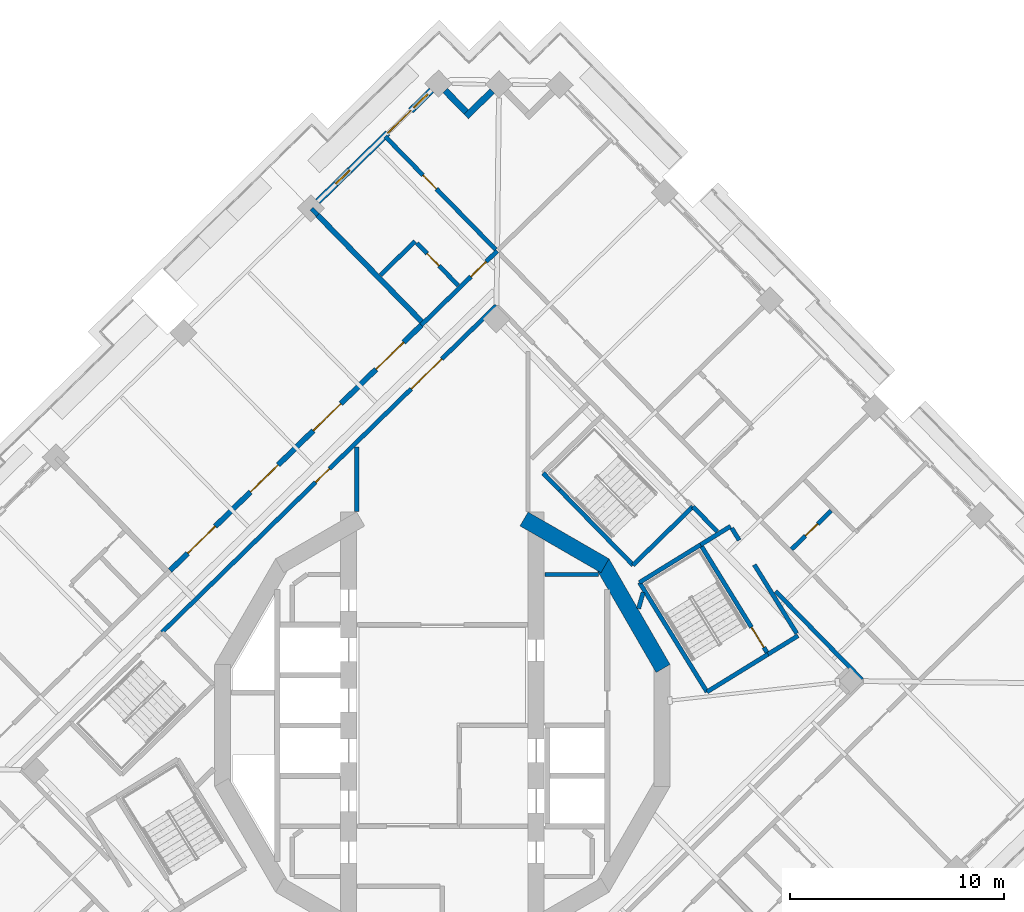
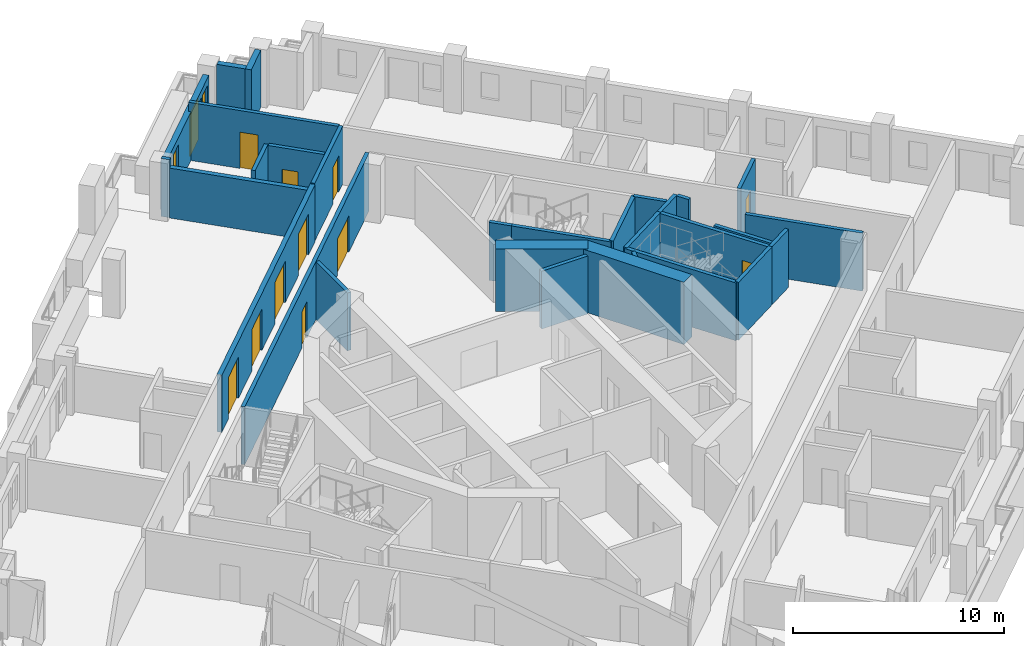
# One storey, part 9 of 19: 30 walls, 12 doors, 2 windows, 14 openings.
"""IFC4 building model written with IfcOpenShell, lengths in metres."""

from ifc_helpers import new_model, si_unit, direction, frame, frame_2d, origin, place, context, subcontext, project, spatial, rectangle, extrude, material, layer, layer_set, type_object, element, fill, save


model = new_model("IFC4")

# Units and contexts
model_context = context("Model", 3, precision=1e-05, world=origin(), true_north=direction((0.0, 1.0)))
body_context = subcontext(model_context, "Body", "Model", "MODEL_VIEW")
ifc_project = project(units=[si_unit("LENGTHUNIT", "METRE"), si_unit("AREAUNIT", "SQUARE_METRE"), si_unit("VOLUMEUNIT", "CUBIC_METRE"), si_unit("PLANEANGLEUNIT", "RADIAN"), si_unit("MASSUNIT", "GRAM", prefix="KILO")], contexts=[model_context])

# Site, building, storey
site_placement = place(None, origin())
site = spatial("IfcSite", under=ifc_project, at=site_placement, CompositionType="ELEMENT")
building_placement = place(site_placement, origin())
building = spatial("IfcBuilding", under=site, at=building_placement, Name="Cantera Rosa Tower", CompositionType="ELEMENT")
storey_placement = place(building_placement, frame((0.0, 0.0, 216.199951171875)))
storey = spatial("IfcBuildingStorey", under=building, at=storey_placement, Name="L46", CompositionType="ELEMENT", Elevation=216.199951171875)

# Walls
ifc_material_1 = material(Name="Gypsum board partition")
ifc_layer_1 = layer(ifc_material_1, 0.199951171875)
ifc_layer_set_1 = layer_set([ifc_layer_1], Name="CORRIDOR WALL 200 H2300")
wall_type_1 = type_object("IfcWallType", Name="CORRIDOR WALL 200 H2300", PredefinedType="PARTITIONING", material=ifc_layer_set_1)
wall_1_placement = place(storey_placement, frame((16.53759765625, 4.291748046875, 0.0), z_axis=(0.0, 0.0, 1.0), x_axis=(-0.524978610061, 0.85111542048, 0.0)))
element("IfcWall", 1, at=wall_1_placement, inside=storey, type_object=wall_type_1, Name="CORRIDOR WALL L46-114", PredefinedType="PARTITIONING", context=body_context, shape_type="SweptSolid", body=[
    extrude(rectangle(XDim=3.7705078125, YDim=0.199951171875, at=frame_2d((1.88525390625, 0.0))), origin(), (0.0, 0.0, 1.0), 2.300048828125),
])
ifc_material_2 = material(Name="Gypsum board partition")
ifc_layer_2 = layer(ifc_material_2, 0.199951171875)
ifc_layer_set_2 = layer_set([ifc_layer_2], Name="CORRIDOR WALL 200 H3350")
wall_type_2 = type_object("IfcWallType", Name="CORRIDOR WALL 200 H3350", PredefinedType="PARTITIONING", material=ifc_layer_set_2)
wall_2_placement = place(storey_placement, frame((-4.0, 12.998046875, 0.0), z_axis=(0.0, 0.0, 1.0), x_axis=(0.0, -1.0, 0.0)))
element("IfcWall", 2, at=wall_2_placement, inside=storey, type_object=wall_type_2, Name="CORRIDOR WALL L46-054", PredefinedType="PARTITIONING", context=body_context, shape_type="SweptSolid", body=[
    extrude(rectangle(XDim=3.00390625, YDim=0.199951171875, at=frame_2d((1.501953125, 0.0))), origin(), (0.0, 0.0, 1.0), 3.35009765625),
])

# Wall, openings, doors
wall_3_placement = place(storey_placement, frame((2.5263671875, 19.593994140625, 0.0), z_axis=(0.0, 0.0, 1.0), x_axis=(-0.715295644999, -0.698821966059, 0.0)))
wall_3 = element("IfcWall", 3, at=wall_3_placement, inside=storey, type_object=wall_type_2, Name="CORRIDOR WALL L46-069", PredefinedType="PARTITIONING", context=body_context, shape_type="SweptSolid", body=[
    extrude(rectangle(XDim=21.815185546875, YDim=0.199951171875, at=frame_2d((10.90771484375, 0.0))), origin(), (0.0, 0.0, 1.0), 3.35009765625),
])
opening_1_placement = place(wall_3_placement, frame((10.89501953125, 0.0, 0.0)))
opening_1 = element("IfcOpeningElement", 4, at=opening_1_placement, cuts=wall_3, Name="Opening L46-008", PredefinedType="OPENING", context=body_context, shape_type="SweptSolid", body=[
    extrude(rectangle(XDim=0.89990234375, YDim=2.10009765625, at=frame_2d((0.449951171875, 1.050048828125))), frame((0.0, 0.10986328125, 0.0), z_axis=(0.0, -1.0, 0.0), x_axis=(1.0, 0.0, 0.0)), (0.0, 0.0, 1.0), 0.219970703125),
])
opening_2_placement = place(wall_3_placement, frame((3.56201171875, 0.0, 0.0)))
opening_2 = element("IfcOpeningElement", 5, at=opening_2_placement, cuts=wall_3, Name="Opening L46-012", PredefinedType="OPENING", context=body_context, shape_type="SweptSolid", body=[
    extrude(rectangle(XDim=2.0, YDim=2.10009765625, at=frame_2d((1.0, 1.050048828125))), frame((0.0, 0.10986328125, 0.0), z_axis=(0.0, -1.0, 0.0), x_axis=(1.0, 0.0, 0.0)), (0.0, 0.0, 1.0), 0.219970703125),
])
ifc_material_3 = material(Name="Steel S355J2 (EN 10025-2)", Category="steel")
door_type_1 = type_object("IfcDoorType", Name="LOBBY SCREEN DOOR 2000x2100", OperationType="NOTDEFINED", PredefinedType="DOOR", material=ifc_material_3)
door_1_placement = place(opening_2_placement, origin())
door_1 = element("IfcDoor", 6, at=door_1_placement, inside=storey, type_object=door_type_1, Name="DOOR L46-012", OperationType="NOTDEFINED", OverallHeight=2.10009765625, OverallWidth=2.0, PredefinedType="DOOR", context=body_context, shape_type="SweptSolid", body=[
    extrude(rectangle(XDim=2.0, YDim=2.10009765625, at=frame_2d((1.0, 1.050048828125))), frame((0.0, 0.02490234375, 0.0), z_axis=(0.0, -1.0, 0.0), x_axis=(1.0, 0.0, 0.0)), (0.0, 0.0, 1.0), 0.050048828125),
])
fill(opening_2, door_1)
ifc_material_4 = material(Name="Timber door leaf", Category="wood")
door_type_2 = type_object("IfcDoorType", Name="SERVICE DOOR 900x2100", OperationType="NOTDEFINED", PredefinedType="DOOR", material=ifc_material_4)
door_2_placement = place(opening_1_placement, origin())
door_2 = element("IfcDoor", 7, at=door_2_placement, inside=storey, type_object=door_type_2, Name="DOOR L46-008", OperationType="NOTDEFINED", OverallHeight=2.10009765625, OverallWidth=0.89990234375, PredefinedType="DOOR", context=body_context, shape_type="SweptSolid", body=[
    extrude(rectangle(XDim=0.89990234375, YDim=2.10009765625, at=frame_2d((0.449951171875, 1.050048828125))), frame((0.0, 0.02490234375, 0.0), z_axis=(0.0, -1.0, 0.0), x_axis=(1.0, 0.0, 0.0)), (0.0, 0.0, 1.0), 0.050048828125),
])
fill(opening_1, door_2)

# Wall, opening, door
wall_4_placement = place(storey_placement, frame((2.555908203125, 22.1396484375, 0.0), z_axis=(0.0, 0.0, 1.0), x_axis=(-0.715279180478, -0.698838818309, 0.0)))
wall_4 = element("IfcWall", 8, at=wall_4_placement, inside=storey, type_object=wall_type_2, Name="CORRIDOR WALL L46-070", PredefinedType="PARTITIONING", context=body_context, shape_type="SweptSolid", body=[
    extrude(rectangle(XDim=4.945068359375, YDim=0.199951171875, at=frame_2d((2.47265625, 0.0))), origin(), (0.0, 0.0, 1.0), 3.35009765625),
])
opening_3_placement = place(wall_4_placement, frame((0.7099609375, 0.0, 0.0)))
opening_3 = element("IfcOpeningElement", 9, at=opening_3_placement, cuts=wall_4, Name="Opening L46-033", PredefinedType="OPENING", context=body_context, shape_type="SweptSolid", body=[
    extrude(rectangle(XDim=1.0, YDim=2.10009765625, at=frame_2d((0.5, 1.050048828125))), frame((0.0, 0.10986328125, 0.0), z_axis=(0.0, -1.0, 0.0), x_axis=(1.0, 0.0, 0.0)), (0.0, 0.0, 1.0), 0.219970703125),
])
ifc_material_5 = material(Name="Timber door leaf", Category="wood")
door_type_3 = type_object("IfcDoorType", Name="ENTRANCE DOOR 1000x2100", OperationType="NOTDEFINED", PredefinedType="DOOR", material=ifc_material_5)
door_3_placement = place(opening_3_placement, origin())
door_3 = element("IfcDoor", 10, at=door_3_placement, inside=storey, type_object=door_type_3, Name="DOOR L46-033", OperationType="NOTDEFINED", OverallHeight=2.10009765625, OverallWidth=1.0, PredefinedType="DOOR", context=body_context, shape_type="SweptSolid", body=[
    extrude(rectangle(XDim=1.0, YDim=2.10009765625, at=frame_2d((0.5, 1.050048828125))), frame((0.0, 0.02490234375, 0.0), z_axis=(0.0, -1.0, 0.0), x_axis=(1.0, 0.0, 0.0)), (0.0, 0.0, 1.0), 0.050048828125),
])
fill(opening_3, door_3)

# Walls
wall_5_placement = place(storey_placement, frame((12.05078125, 8.4326171875, 0.0), z_axis=(0.0, 0.0, 1.0), x_axis=(0.851076929832, 0.525041007453, 0.0)))
element("IfcWall", 11, at=wall_5_placement, inside=storey, type_object=wall_type_2, Name="CORRIDOR WALL L46-101", PredefinedType="PARTITIONING", context=body_context, shape_type="SweptSolid", body=[
    extrude(rectangle(XDim=1.645263671875, YDim=0.199951171875, at=frame_2d((0.82275390625, 0.0))), origin(), (0.0, 0.0, 1.0), 3.35009765625),
])
wall_6_placement = place(storey_placement, frame((12.828125, 9.0498046875, 0.0), z_axis=(0.0, 0.0, 1.0), x_axis=(-0.698800279723, 0.715316831242, 0.0)))
element("IfcWall", 12, at=wall_6_placement, inside=storey, type_object=wall_type_2, Name="CORRIDOR WALL L46-107", PredefinedType="PARTITIONING", context=body_context, shape_type="SweptSolid", body=[
    extrude(rectangle(XDim=1.6259765625, YDim=0.199951171875, at=frame_2d((0.81298828125, 0.0))), origin(), (0.0, 0.0, 1.0), 3.35009765625),
])
wall_7_placement = place(storey_placement, frame((15.20068359375, 3.325927734375, 0.0), z_axis=(0.0, 0.0, 1.0), x_axis=(0.8510360128, 0.525107327047, 0.0)))
element("IfcWall", 13, at=wall_7_placement, inside=storey, type_object=wall_type_2, Name="CORRIDOR WALL L46-112", PredefinedType="PARTITIONING", context=body_context, shape_type="SweptSolid", body=[
    extrude(rectangle(XDim=1.64501953125, YDim=0.199951171875, at=frame_2d((0.822509765625, 0.0))), origin(), (0.0, 0.0, 1.0), 3.35009765625),
])
wall_8_placement = place(storey_placement, frame((13.8525390625, 8.64501953125, 0.0), z_axis=(0.0, 0.0, 1.0), x_axis=(-0.52487540685, 0.851179068871, 0.0)))
element("IfcWall", 14, at=wall_8_placement, inside=storey, type_object=wall_type_2, Name="CORRIDOR WALL L46-115", PredefinedType="PARTITIONING", context=body_context, shape_type="SweptSolid", body=[
    extrude(rectangle(XDim=0.6650390625, YDim=0.199951171875, at=frame_2d((0.33251953125, 0.0))), origin(), (0.0, 0.0, 1.0), 3.35009765625),
])
wall_9_placement = place(storey_placement, frame((19.57763671875, 2.14111328125, 0.0), z_axis=(0.0, 0.0, 1.0), x_axis=(-0.698830151438, 0.715287648042, 0.0)))
element("IfcWall", 15, at=wall_9_placement, inside=storey, type_object=wall_type_2, Name="CORRIDOR WALL L46-122", PredefinedType="PARTITIONING", context=body_context, shape_type="SweptSolid", body=[
    extrude(rectangle(XDim=5.770751953125, YDim=0.199951171875, at=frame_2d((2.88525390625, 0.0))), origin(), (0.0, 0.0, 1.0), 3.35009765625),
])
ifc_material_6 = material(Name="Hollow clay masonry with cantera stone cladding", Category="masonry")
ifc_layer_3 = layer(ifc_material_6, 0.300048828125)
ifc_layer_set_3 = layer_set([ifc_layer_3], Name="EW-LOGGIA 300")
wall_type_3 = type_object("IfcWallType", Name="EW-LOGGIA 300", PredefinedType="SOLIDWALL", material=ifc_layer_set_3)
wall_10_placement = place(storey_placement, frame((2.324462890625, 29.602783203125, 0.0), z_axis=(0.0, 0.0, 1.0), x_axis=(-0.715316077832, -0.69880105094, 0.0)))
element("IfcWall", 16, at=wall_10_placement, inside=storey, type_object=wall_type_3, Name="EN-L46-W06a", PredefinedType="SOLIDWALL", context=body_context, shape_type="SweptSolid", body=[
    extrude(rectangle(XDim=1.699951171875, YDim=0.300048828125, at=frame_2d((0.85009765625, 0.0))), origin(), (0.0, 0.0, 1.0), 3.300048828125),
])
wall_11_placement = place(storey_placement, frame((1.111083984375, 28.626953125, 0.0), z_axis=(0.0, 0.0, 1.0), x_axis=(-0.698951192766, 0.71516937164, 0.0)))
element("IfcWall", 17, at=wall_11_placement, inside=storey, type_object=wall_type_3, Name="EN-L46-W06b", PredefinedType="SOLIDWALL", context=body_context, shape_type="SweptSolid", body=[
    extrude(rectangle(XDim=1.39990234375, YDim=0.300048828125, at=frame_2d((0.699951171875, 0.0))), origin(), (0.0, 0.0, 1.0), 3.300048828125),
])

# Wall, openings, windows, door
ifc_material_7 = material(Name="Hollow clay masonry with cantera stone cladding", Category="masonry")
ifc_layer_4 = layer(ifc_material_7, 0.300048828125)
ifc_layer_set_4 = layer_set([ifc_layer_4], Name="EW-LOGGIA 300 H2820")
wall_type_4 = type_object("IfcWallType", Name="EW-LOGGIA 300 H2820", PredefinedType="SOLIDWALL", material=ifc_layer_set_4)
wall_12_placement = place(storey_placement, frame((-0.503662109375, 29.6357421875, 0.0), z_axis=(0.0, 0.0, 1.0), x_axis=(-0.715284379566, -0.698833496871, 0.0)))
wall_12 = element("IfcWall", 18, at=wall_12_placement, inside=storey, type_object=wall_type_4, Name="EN-L46-W07", PredefinedType="SOLIDWALL", context=body_context, shape_type="SweptSolid", body=[
    extrude(rectangle(XDim=7.42041015625, YDim=0.300048828125, at=frame_2d((3.710205078125, 0.0))), origin(), (0.0, 0.0, 1.0), 2.820068359375),
])
opening_4_placement = place(wall_12_placement, frame((0.25, 0.0, 0.89990234375)))
opening_4 = element("IfcOpeningElement", 19, at=opening_4_placement, cuts=wall_12, Name="Opening L46-W13", PredefinedType="OPENING", context=body_context, shape_type="SweptSolid", body=[
    extrude(rectangle(XDim=0.89990234375, YDim=1.5, at=frame_2d((0.449951171875, 0.75))), frame((0.0, 0.159912109375, 0.0), z_axis=(0.0, -1.0, 0.0), x_axis=(1.0, 0.0, 0.0)), (0.0, 0.0, 1.0), 0.320068359375),
])
opening_5_placement = place(wall_12_placement, frame((1.35009765625, 0.0, 0.0)))
opening_5 = element("IfcOpeningElement", 20, at=opening_5_placement, cuts=wall_12, Name="Opening L46-TD14", PredefinedType="OPENING", context=body_context, shape_type="SweptSolid", body=[
    extrude(rectangle(XDim=1.5, YDim=2.39990234375, at=frame_2d((0.75, 1.199951171875))), frame((0.0, 0.159912109375, 0.0), z_axis=(0.0, -1.0, 0.0), x_axis=(1.0, 0.0, 0.0)), (0.0, 0.0, 1.0), 0.320068359375),
])
opening_6_placement = place(wall_12_placement, frame((5.340087890625, 0.0, 0.89990234375)))
opening_6 = element("IfcOpeningElement", 21, at=opening_6_placement, cuts=wall_12, Name="Opening L46-W15", PredefinedType="OPENING", context=body_context, shape_type="SweptSolid", body=[
    extrude(rectangle(XDim=0.89990234375, YDim=1.5, at=frame_2d((0.449951171875, 0.75))), frame((0.0, 0.159912109375, 0.0), z_axis=(0.0, -1.0, 0.0), x_axis=(1.0, 0.0, 0.0)), (0.0, 0.0, 1.0), 0.320068359375),
])
ifc_material_8 = material(Name="Aluminium frame with clear glass", Category="aluminium")
window_type = type_object("IfcWindowType", Name="Residential window 900x1500", PartitioningType="SINGLE_PANEL", PredefinedType="WINDOW", material=ifc_material_8)
window_1_placement = place(opening_4_placement, origin())
window_1 = element("IfcWindow", 22, at=window_1_placement, inside=storey, type_object=window_type, Name="WINDOW L46-W13", OverallHeight=1.5, OverallWidth=0.89990234375, PartitioningType="SINGLE_PANEL", PredefinedType="WINDOW", context=body_context, shape_type="SweptSolid", body=[
    extrude(rectangle(XDim=0.89990234375, YDim=1.5, at=frame_2d((0.449951171875, 0.75))), frame((0.0, 0.030029296875, 0.0), z_axis=(0.0, -1.0, 0.0), x_axis=(1.0, 0.0, 0.0)), (0.0, 0.0, 1.0), 0.06005859375),
])
fill(opening_4, window_1)
window_2_placement = place(opening_6_placement, origin())
window_2 = element("IfcWindow", 23, at=window_2_placement, inside=storey, type_object=window_type, Name="WINDOW L46-W15", OverallHeight=1.5, OverallWidth=0.89990234375, PartitioningType="SINGLE_PANEL", PredefinedType="WINDOW", context=body_context, shape_type="SweptSolid", body=[
    extrude(rectangle(XDim=0.89990234375, YDim=1.5, at=frame_2d((0.449951171875, 0.75))), frame((0.0, 0.030029296875, 0.0), z_axis=(0.0, -1.0, 0.0), x_axis=(1.0, 0.0, 0.0)), (0.0, 0.0, 1.0), 0.06005859375),
])
fill(opening_6, window_2)
ifc_material_9 = material(Name="Aluminium frame with clear glass", Category="aluminium")
door_type_4 = type_object("IfcDoorType", Name="TD-R 1500x2400", OperationType="NOTDEFINED", PredefinedType="DOOR", material=ifc_material_9)
door_4_placement = place(opening_5_placement, origin())
door_4 = element("IfcDoor", 24, at=door_4_placement, inside=storey, type_object=door_type_4, Name="LOGGIA DOOR L46-TD14", OperationType="SLIDING_TO_LEFT", OverallHeight=2.39990234375, OverallWidth=1.5, PredefinedType="DOOR", context=body_context, shape_type="SweptSolid", body=[
    extrude(rectangle(XDim=1.5, YDim=2.39990234375, at=frame_2d((0.75, 1.199951171875))), frame((0.0, 0.02490234375, 0.0), z_axis=(0.0, -1.0, 0.0), x_axis=(1.0, 0.0, 0.0)), (0.0, 0.0, 1.0), 0.050048828125),
])
fill(opening_5, door_4)

# Wall
ifc_material_10 = material(Name="Concrete C40/50", Category="concrete")
ifc_layer_5 = layer(ifc_material_10, 0.25)
ifc_layer_set_5 = layer_set([ifc_layer_5], Name="EW-POCKET CHEEK 250 H2890")
wall_type_5 = type_object("IfcWallType", Name="EW-POCKET CHEEK 250 H2890", PredefinedType="SOLIDWALL", material=ifc_layer_set_5)
wall_13_placement = place(storey_placement, frame((-5.818603515625, 23.81396484375, 0.0), z_axis=(0.0, 0.0, 1.0), x_axis=(0.69883901927, -0.715278984135, 0.0)))
element("IfcWall", 25, at=wall_13_placement, inside=storey, type_object=wall_type_5, Name="POCKET CHEEK A L46", PredefinedType="SOLIDWALL", context=body_context, shape_type="SweptSolid", body=[
    extrude(rectangle(XDim=6.949951171875, YDim=0.25, at=frame_2d((3.47509765625, 0.0))), origin(), (0.0, 0.0, 1.0), 2.89013671875),
])

# Wall, openings, doors
ifc_material_11 = material(Name="Hollow clay masonry with cantera stone cladding", Category="masonry")
ifc_layer_6 = layer(ifc_material_11, 0.25)
ifc_layer_set_6 = layer_set([ifc_layer_6], Name="EW-POCKET REAR 250")
wall_type_6 = type_object("IfcWallType", Name="EW-POCKET REAR 250", PredefinedType="SOLIDWALL", material=ifc_layer_set_6)
wall_14_placement = place(storey_placement, frame((-0.981201171875, 18.683837890625, 0.0), z_axis=(0.0, 0.0, 1.0), x_axis=(-0.715288729217, -0.698829044799, 0.0)))
wall_14 = element("IfcWall", 26, at=wall_14_placement, inside=storey, type_object=wall_type_6, Name="POCKET REAR L46", PredefinedType="SOLIDWALL", context=body_context, shape_type="SweptSolid", body=[
    extrude(rectangle(XDim=16.39013671875, YDim=0.25, at=frame_2d((8.195068359375, 0.0))), origin(), (0.0, 0.0, 1.0), 3.300048828125),
])
opening_7_placement = place(wall_14_placement, frame((1.148681640625, 0.0, 0.0)))
opening_7 = element("IfcOpeningElement", 27, at=opening_7_placement, cuts=wall_14, Name="Opening L46-LT01", PredefinedType="OPENING", context=body_context, shape_type="SweptSolid", body=[
    extrude(rectangle(XDim=1.800048828125, YDim=2.39990234375, at=frame_2d((0.89990234375, 1.199951171875))), frame((0.0, 0.135009765625, 0.0), z_axis=(0.0, -1.0, 0.0), x_axis=(1.0, 0.0, 0.0)), (0.0, 0.0, 1.0), 0.27001953125),
])
opening_8_placement = place(wall_14_placement, frame((5.246337890625, 0.0, 0.0)))
opening_8 = element("IfcOpeningElement", 28, at=opening_8_placement, cuts=wall_14, Name="Opening L46-LT02", PredefinedType="OPENING", context=body_context, shape_type="SweptSolid", body=[
    extrude(rectangle(XDim=1.800048828125, YDim=2.39990234375, at=frame_2d((0.89990234375, 1.199951171875))), frame((0.0, 0.135009765625, 0.0), z_axis=(0.0, -1.0, 0.0), x_axis=(1.0, 0.0, 0.0)), (0.0, 0.0, 1.0), 0.27001953125),
])
opening_9_placement = place(wall_14_placement, frame((9.34375, 0.0, 0.0)))
opening_9 = element("IfcOpeningElement", 29, at=opening_9_placement, cuts=wall_14, Name="Opening L46-LT03", PredefinedType="OPENING", context=body_context, shape_type="SweptSolid", body=[
    extrude(rectangle(XDim=1.800048828125, YDim=2.39990234375, at=frame_2d((0.89990234375, 1.199951171875))), frame((0.0, 0.135009765625, 0.0), z_axis=(0.0, -1.0, 0.0), x_axis=(1.0, 0.0, 0.0)), (0.0, 0.0, 1.0), 0.27001953125),
])
opening_10_placement = place(wall_14_placement, frame((13.441162109375, 0.0, 0.0)))
opening_10 = element("IfcOpeningElement", 30, at=opening_10_placement, cuts=wall_14, Name="Opening L46-LT04", PredefinedType="OPENING", context=body_context, shape_type="SweptSolid", body=[
    extrude(rectangle(XDim=1.800048828125, YDim=2.39990234375, at=frame_2d((0.89990234375, 1.199951171875))), frame((0.0, 0.135009765625, 0.0), z_axis=(0.0, -1.0, 0.0), x_axis=(1.0, 0.0, 0.0)), (0.0, 0.0, 1.0), 0.27001953125),
])
ifc_material_12 = material(Name="Aluminium frame with clear glass", Category="aluminium")
door_type_5 = type_object("IfcDoorType", Name="TD-T 1800x2400", OperationType="NOTDEFINED", PredefinedType="DOOR", material=ifc_material_12)
door_5_placement = place(opening_7_placement, origin())
door_5 = element("IfcDoor", 31, at=door_5_placement, inside=storey, type_object=door_type_5, Name="TERRACE DOOR L46-LT01", OperationType="DOUBLE_DOOR_SINGLE_SWING", OverallHeight=2.39990234375, OverallWidth=1.800048828125, PredefinedType="DOOR", context=body_context, shape_type="SweptSolid", body=[
    extrude(rectangle(XDim=1.800048828125, YDim=2.39990234375, at=frame_2d((0.89990234375, 1.199951171875))), frame((0.0, 0.02490234375, 0.0), z_axis=(0.0, -1.0, 0.0), x_axis=(1.0, 0.0, 0.0)), (0.0, 0.0, 1.0), 0.050048828125),
])
fill(opening_7, door_5)
door_6_placement = place(opening_8_placement, origin())
door_6 = element("IfcDoor", 32, at=door_6_placement, inside=storey, type_object=door_type_5, Name="TERRACE DOOR L46-LT02", OperationType="DOUBLE_DOOR_SINGLE_SWING", OverallHeight=2.39990234375, OverallWidth=1.800048828125, PredefinedType="DOOR", context=body_context, shape_type="SweptSolid", body=[
    extrude(rectangle(XDim=1.800048828125, YDim=2.39990234375, at=frame_2d((0.89990234375, 1.199951171875))), frame((0.0, 0.02490234375, 0.0), z_axis=(0.0, -1.0, 0.0), x_axis=(1.0, 0.0, 0.0)), (0.0, 0.0, 1.0), 0.050048828125),
])
fill(opening_8, door_6)
door_7_placement = place(opening_9_placement, origin())
door_7 = element("IfcDoor", 33, at=door_7_placement, inside=storey, type_object=door_type_5, Name="TERRACE DOOR L46-LT03", OperationType="DOUBLE_DOOR_SINGLE_SWING", OverallHeight=2.39990234375, OverallWidth=1.800048828125, PredefinedType="DOOR", context=body_context, shape_type="SweptSolid", body=[
    extrude(rectangle(XDim=1.800048828125, YDim=2.39990234375, at=frame_2d((0.89990234375, 1.199951171875))), frame((0.0, 0.02490234375, 0.0), z_axis=(0.0, -1.0, 0.0), x_axis=(1.0, 0.0, 0.0)), (0.0, 0.0, 1.0), 0.050048828125),
])
fill(opening_9, door_7)
door_8_placement = place(opening_10_placement, origin())
door_8 = element("IfcDoor", 34, at=door_8_placement, inside=storey, type_object=door_type_5, Name="TERRACE DOOR L46-LT04", OperationType="DOUBLE_DOOR_SINGLE_SWING", OverallHeight=2.39990234375, OverallWidth=1.800048828125, PredefinedType="DOOR", context=body_context, shape_type="SweptSolid", body=[
    extrude(rectangle(XDim=1.800048828125, YDim=2.39990234375, at=frame_2d((0.89990234375, 1.199951171875))), frame((0.0, 0.02490234375, 0.0), z_axis=(0.0, -1.0, 0.0), x_axis=(1.0, 0.0, 0.0)), (0.0, 0.0, 1.0), 0.050048828125),
])
fill(opening_10, door_8)

# Wall
ifc_material_13 = material(Name="Gypsum board partition")
ifc_layer_7 = layer(ifc_material_13, 0.199951171875)
ifc_layer_set_7 = layer_set([ifc_layer_7], Name="PARTITION 200 H3350")
wall_type_7 = type_object("IfcWallType", Name="PARTITION 200 H3350", PredefinedType="PARTITIONING", material=ifc_layer_set_7)
wall_15_placement = place(storey_placement, frame((-2.8916015625, 21.011474609375, 0.0), z_axis=(0.0, 0.0, 1.0), x_axis=(0.715304752003, 0.698812644249, 0.0)))
element("IfcWall", 35, at=wall_15_placement, inside=storey, type_object=wall_type_7, Name="PARTITION L46-056", PredefinedType="PARTITIONING", context=body_context, shape_type="SweptSolid", body=[
    extrude(rectangle(XDim=2.264892578125, YDim=0.199951171875, at=frame_2d((1.13232421875, 0.0))), origin(), (0.0, 0.0, 1.0), 3.35009765625),
])

# Wall, opening, door
wall_16_placement = place(storey_placement, frame((-1.187744140625, 22.50830078125, 0.0), z_axis=(0.0, 0.0, 1.0), x_axis=(0.698832164503, -0.715285681288, 0.0)))
wall_16 = element("IfcWall", 36, at=wall_16_placement, inside=storey, type_object=wall_type_7, Name="PARTITION L46-060", PredefinedType="PARTITIONING", context=body_context, shape_type="SweptSolid", body=[
    extrude(rectangle(XDim=2.760009765625, YDim=0.199951171875, at=frame_2d((1.3798828125, 0.0))), origin(), (0.0, 0.0, 1.0), 3.35009765625),
])
opening_11_placement = place(wall_16_placement, frame((0.679931640625, 0.0, 0.0)))
opening_11 = element("IfcOpeningElement", 37, at=opening_11_placement, cuts=wall_16, Name="Opening L46-034", PredefinedType="OPENING", context=body_context, shape_type="SweptSolid", body=[
    extrude(rectangle(XDim=0.800048828125, YDim=2.10009765625, at=frame_2d((0.39990234375, 1.050048828125))), frame((0.0, 0.10986328125, 0.0), z_axis=(0.0, -1.0, 0.0), x_axis=(1.0, 0.0, 0.0)), (0.0, 0.0, 1.0), 0.219970703125),
])
ifc_material_14 = material(Name="Timber door leaf", Category="wood")
door_type_6 = type_object("IfcDoorType", Name="BATHROOM DOOR 800x2100", OperationType="NOTDEFINED", PredefinedType="DOOR", material=ifc_material_14)
door_9_placement = place(opening_11_placement, origin())
door_9 = element("IfcDoor", 38, at=door_9_placement, inside=storey, type_object=door_type_6, Name="DOOR L46-034", OperationType="NOTDEFINED", OverallHeight=2.10009765625, OverallWidth=0.800048828125, PredefinedType="DOOR", context=body_context, shape_type="SweptSolid", body=[
    extrude(rectangle(XDim=0.800048828125, YDim=2.10009765625, at=frame_2d((0.39990234375, 1.050048828125))), frame((0.0, 0.02490234375, 0.0), z_axis=(0.0, -1.0, 0.0), x_axis=(1.0, 0.0, 0.0)), (0.0, 0.0, 1.0), 0.050048828125),
])
fill(opening_11, door_9)

wall_17_placement = place(storey_placement, frame((2.486083984375, 22.211181640625, 0.0), z_axis=(0.0, 0.0, 1.0), x_axis=(-0.698843600557, 0.715274508116, 0.0)))
wall_17 = element("IfcWall", 39, at=wall_17_placement, inside=storey, type_object=wall_type_7, Name="PARTITION L46-072", PredefinedType="PARTITIONING", context=body_context, shape_type="SweptSolid", body=[
    extrude(rectangle(XDim=7.369873046875, YDim=0.199951171875, at=frame_2d((3.68505859375, 0.0))), origin(), (0.0, 0.0, 1.0), 3.35009765625),
])
opening_12_placement = place(wall_17_placement, frame((3.949951171875, 0.0, 0.0)))
opening_12 = element("IfcOpeningElement", 40, at=opening_12_placement, cuts=wall_17, Name="Opening L46-035", PredefinedType="OPENING", context=body_context, shape_type="SweptSolid", body=[
    extrude(rectangle(XDim=0.89990234375, YDim=2.10009765625, at=frame_2d((0.449951171875, 1.050048828125))), frame((0.0, 0.10986328125, 0.0), z_axis=(0.0, -1.0, 0.0), x_axis=(1.0, 0.0, 0.0)), (0.0, 0.0, 1.0), 0.219970703125),
])
ifc_material_15 = material(Name="Timber door leaf", Category="wood")
door_type_7 = type_object("IfcDoorType", Name="ROOM DOOR 900x2100", OperationType="NOTDEFINED", PredefinedType="DOOR", material=ifc_material_15)
door_10_placement = place(opening_12_placement, origin())
door_10 = element("IfcDoor", 41, at=door_10_placement, inside=storey, type_object=door_type_7, Name="DOOR L46-035", OperationType="NOTDEFINED", OverallHeight=2.10009765625, OverallWidth=0.89990234375, PredefinedType="DOOR", context=body_context, shape_type="SweptSolid", body=[
    extrude(rectangle(XDim=0.89990234375, YDim=2.10009765625, at=frame_2d((0.449951171875, 1.050048828125))), frame((0.0, 0.02490234375, 0.0), z_axis=(0.0, -1.0, 0.0), x_axis=(1.0, 0.0, 0.0)), (0.0, 0.0, 1.0), 0.050048828125),
])
fill(opening_12, door_10)

# Walls
wall_18_placement = place(storey_placement, frame((4.780029296875, 7.050048828125, 0.0), z_axis=(0.0, 0.0, 1.0), x_axis=(1.0, 0.0, 0.0)))
element("IfcWall", 42, at=wall_18_placement, inside=storey, type_object=wall_type_7, Name="PARTITION L46-080", PredefinedType="PARTITIONING", context=body_context, shape_type="SweptSolid", body=[
    extrude(rectangle(XDim=2.517822265625, YDim=0.199951171875, at=frame_2d((1.2587890625, 0.0))), origin(), (0.0, 0.0, 1.0), 3.35009765625),
])
wall_19_placement = place(storey_placement, frame((9.156494140625, 5.45068359375, 0.0), z_axis=(0.0, 0.0, 1.0), x_axis=(0.272879725043, 0.962048156622, 0.0)))
element("IfcWall", 43, at=wall_19_placement, inside=storey, type_object=wall_type_7, Name="PARTITION L46-092", PredefinedType="PARTITIONING", context=body_context, shape_type="SweptSolid", body=[
    extrude(rectangle(XDim=0.788330078125, YDim=0.199951171875, at=frame_2d((0.39404296875, 0.0))), origin(), (0.0, 0.0, 1.0), 3.35009765625),
])

# Wall, opening, door
wall_20_placement = place(storey_placement, frame((18.14208984375, 10.021484375, 0.0), z_axis=(0.0, 0.0, 1.0), x_axis=(-0.715337680074, -0.69877893748, 0.0)))
wall_20 = element("IfcWall", 44, at=wall_20_placement, inside=storey, type_object=wall_type_7, Name="PARTITION L46-118", PredefinedType="PARTITIONING", context=body_context, shape_type="SweptSolid", body=[
    extrude(rectangle(XDim=2.580078125, YDim=0.199951171875, at=frame_2d((1.2900390625, 0.0))), origin(), (0.0, 0.0, 1.0), 3.35009765625),
])
opening_13_placement = place(wall_20_placement, frame((0.8798828125, 0.0, 0.0)))
opening_13 = element("IfcOpeningElement", 45, at=opening_13_placement, cuts=wall_20, Name="Opening L46-024", PredefinedType="OPENING", context=body_context, shape_type="SweptSolid", body=[
    extrude(rectangle(XDim=0.800048828125, YDim=2.10009765625, at=frame_2d((0.39990234375, 1.050048828125))), frame((0.0, 0.10986328125, 0.0), z_axis=(0.0, -1.0, 0.0), x_axis=(1.0, 0.0, 0.0)), (0.0, 0.0, 1.0), 0.219970703125),
])
door_11_placement = place(opening_13_placement, origin())
door_11 = element("IfcDoor", 46, at=door_11_placement, inside=storey, type_object=door_type_6, Name="DOOR L46-024", OperationType="NOTDEFINED", OverallHeight=2.10009765625, OverallWidth=0.800048828125, PredefinedType="DOOR", context=body_context, shape_type="SweptSolid", body=[
    extrude(rectangle(XDim=0.800048828125, YDim=2.10009765625, at=frame_2d((0.39990234375, 1.050048828125))), frame((0.0, 0.02490234375, 0.0), z_axis=(0.0, -1.0, 0.0), x_axis=(1.0, 0.0, 0.0)), (0.0, 0.0, 1.0), 0.050048828125),
])
fill(opening_13, door_11)

# Walls
ifc_material_16 = material(Name="Gypsum board partition")
ifc_layer_8 = layer(ifc_material_16, 0.199951171875)
ifc_layer_set_8 = layer_set([ifc_layer_8], Name="PARTY WALL 200 H3350")
wall_type_8 = type_object("IfcWallType", Name="PARTY WALL 200 H3350", PredefinedType="PARTITIONING", material=ifc_layer_set_8)
wall_21_placement = place(storey_placement, frame((-5.818603515625, 23.81396484375, 0.0), z_axis=(0.0, 0.0, 1.0), x_axis=(-0.698628837203, 0.715484275039, 0.0)))
element("IfcWall", 47, at=wall_21_placement, inside=storey, type_object=wall_type_8, Name="PARTY WALL L46-061", PredefinedType="PARTITIONING", context=body_context, shape_type="SweptSolid", body=[
    extrude(rectangle(XDim=0.420166015625, YDim=0.199951171875, at=frame_2d((0.2099609375, 0.0))), origin(), (0.0, 0.0, 1.0), 3.35009765625),
])
ifc_material_17 = material(Name="Concrete C60/75", Category="concrete")
ifc_layer_9 = layer(ifc_material_17, 0.75)
ifc_layer_set_9 = layer_set([ifc_layer_9], Name="RC CORE WALL 750 C60/75")
wall_type_9 = type_object("IfcWallType", Name="RC CORE WALL 750 C60/75", PredefinedType="SHEAR", material=ifc_layer_set_9)
wall_22_placement = place(storey_placement, frame((3.8125, 9.634765625, 0.0), z_axis=(0.0, 0.0, 1.0), x_axis=(0.866013176292, -0.50002117804, 0.0)))
element("IfcWall", 48, at=wall_22_placement, inside=storey, type_object=wall_type_9, Name="CW-E1 L46", PredefinedType="SHEAR", context=body_context, shape_type="SweptSolid", body=[
    extrude(rectangle(XDim=4.362548828125, YDim=0.75, at=frame_2d((2.18115234375, 0.0))), origin(), (0.0, 0.0, 1.0), 3.60009765625),
])
wall_23_placement = place(storey_placement, frame((7.453369140625, 7.590576171875, 0.0), z_axis=(0.0, 0.0, 1.0), x_axis=(0.500021842983, -0.866012792365, 0.0)))
element("IfcWall", 49, at=wall_23_placement, inside=storey, type_object=wall_type_9, Name="CW-E2 L46", PredefinedType="SHEAR", context=body_context, shape_type="SweptSolid", body=[
    extrude(rectangle(XDim=5.694091796875, YDim=0.75, at=frame_2d((2.84716796875, 0.0))), origin(), (0.0, 0.0, 1.0), 3.60009765625),
])
ifc_material_18 = material(Name="Concrete C50/60", Category="concrete")
ifc_layer_10 = layer(ifc_material_18, 0.199951171875)
ifc_layer_set_10 = layer_set([ifc_layer_10], Name="STAIR WALL 200 H3350")
wall_type_10 = type_object("IfcWallType", Name="STAIR WALL 200 H3350", PredefinedType="SOLIDWALL", material=ifc_layer_set_10)
wall_24_placement = place(storey_placement, frame((8.8984375, 7.483642578125, 0.0), z_axis=(0.0, 0.0, 1.0), x_axis=(-0.698837952642, 0.715280026246, 0.0)))
element("IfcWall", 50, at=wall_24_placement, inside=storey, type_object=wall_type_10, Name="STAIR WALL L46-091", PredefinedType="SOLIDWALL", context=body_context, shape_type="SweptSolid", body=[
    extrude(rectangle(XDim=4.89990234375, YDim=0.199951171875, at=frame_2d((2.449951171875, 0.0))), origin(), (0.0, 0.0, 1.0), 3.35009765625),
])
wall_25_placement = place(storey_placement, frame((9.199462890625, 6.674072265625, 0.0), z_axis=(0.0, 0.0, 1.0), x_axis=(0.85113993661, 0.524938861495, 0.0)))
element("IfcWall", 51, at=wall_25_placement, inside=storey, type_object=wall_type_10, Name="STAIR WALL L46-093", PredefinedType="SOLIDWALL", context=body_context, shape_type="SweptSolid", body=[
    extrude(rectangle(XDim=3.35009765625, YDim=0.199951171875, at=frame_2d((1.675048828125, 0.0))), origin(), (0.0, 0.0, 1.0), 3.35009765625),
])
wall_26_placement = place(storey_placement, frame((11.69189453125, 10.212890625, 0.0), z_axis=(0.0, 0.0, 1.0), x_axis=(-0.715279521258, -0.698838469511, 0.0)))
element("IfcWall", 52, at=wall_26_placement, inside=storey, type_object=wall_type_10, Name="STAIR WALL L46-098", PredefinedType="SOLIDWALL", context=body_context, shape_type="SweptSolid", body=[
    extrude(rectangle(XDim=3.905517578125, YDim=0.199951171875, at=frame_2d((1.95263671875, 0.0))), origin(), (0.0, 0.0, 1.0), 3.35009765625),
])

# Wall, opening, door
wall_27_placement = place(storey_placement, frame((12.05078125, 8.4326171875, 0.0), z_axis=(0.0, 0.0, 1.0), x_axis=(0.524982543144, -0.851112994493, 0.0)))
wall_27 = element("IfcWall", 53, at=wall_27_placement, inside=storey, type_object=wall_type_10, Name="STAIR WALL L46-102", PredefinedType="SOLIDWALL", context=body_context, shape_type="SweptSolid", body=[
    extrude(rectangle(XDim=6.0, YDim=0.199951171875, at=frame_2d((3.0, 0.0))), origin(), (0.0, 0.0, 1.0), 3.35009765625),
])
opening_14_placement = place(wall_27_placement, frame((4.52490234375, 0.0, 0.0)))
opening_14 = element("IfcOpeningElement", 54, at=opening_14_placement, cuts=wall_27, Name="Opening L46-001", PredefinedType="OPENING", context=body_context, shape_type="SweptSolid", body=[
    extrude(rectangle(XDim=1.10009765625, YDim=2.10009765625, at=frame_2d((0.550048828125, 1.050048828125))), frame((0.0, 0.10986328125, 0.0), z_axis=(0.0, -1.0, 0.0), x_axis=(1.0, 0.0, 0.0)), (0.0, 0.0, 1.0), 0.219970703125),
])
ifc_material_19 = material(Name="Steel S355J2 (EN 10025-2)", Category="steel")
door_type_8 = type_object("IfcDoorType", Name="STAIR DOOR 1100x2100", OperationType="NOTDEFINED", PredefinedType="DOOR", material=ifc_material_19)
door_12_placement = place(opening_14_placement, origin())
door_12 = element("IfcDoor", 55, at=door_12_placement, inside=storey, type_object=door_type_8, Name="DOOR L46-001", OperationType="NOTDEFINED", OverallHeight=2.10009765625, OverallWidth=1.10009765625, PredefinedType="DOOR", context=body_context, shape_type="SweptSolid", body=[
    extrude(rectangle(XDim=1.10009765625, YDim=2.10009765625, at=frame_2d((0.550048828125, 1.050048828125))), frame((0.0, 0.02490234375, 0.0), z_axis=(0.0, -1.0, 0.0), x_axis=(1.0, 0.0, 0.0)), (0.0, 0.0, 1.0), 0.050048828125),
])
fill(opening_14, door_12)

# Walls
wall_28_placement = place(storey_placement, frame((12.349365234375, 1.5673828125, 0.0), z_axis=(0.0, 0.0, 1.0), x_axis=(-0.524982543144, 0.851112994493, 0.0)))
element("IfcWall", 56, at=wall_28_placement, inside=storey, type_object=wall_type_10, Name="STAIR WALL L46-104", PredefinedType="SOLIDWALL", context=body_context, shape_type="SweptSolid", body=[
    extrude(rectangle(XDim=6.0, YDim=0.199951171875, at=frame_2d((3.0, 0.0))), origin(), (0.0, 0.0, 1.0), 3.35009765625),
])
wall_29_placement = place(storey_placement, frame((12.349365234375, 1.5673828125, 0.0), z_axis=(0.0, 0.0, 1.0), x_axis=(0.85113993661, 0.524938861495, 0.0)))
element("IfcWall", 57, at=wall_29_placement, inside=storey, type_object=wall_type_10, Name="STAIR WALL L46-105", PredefinedType="SOLIDWALL", context=body_context, shape_type="SweptSolid", body=[
    extrude(rectangle(XDim=3.35009765625, YDim=0.199951171875, at=frame_2d((1.675048828125, 0.0))), origin(), (0.0, 0.0, 1.0), 3.35009765625),
])
wall_30_placement = place(storey_placement, frame((5.47412109375, 10.988525390625, 0.0), z_axis=(0.0, 0.0, 1.0), x_axis=(-0.698847807351, 0.715270397934, 0.0)))
element("IfcWall", 58, at=wall_30_placement, inside=storey, type_object=wall_type_10, Name="STAIR WALL L46-091 J", PredefinedType="SOLIDWALL", context=body_context, shape_type="SweptSolid", body=[
    extrude(rectangle(XDim=1.10009765625, YDim=0.199951171875, at=frame_2d((0.550048828125, 0.0))), origin(), (0.0, 0.0, 1.0), 3.35009765625),
])

save(model, "model.ifc")
